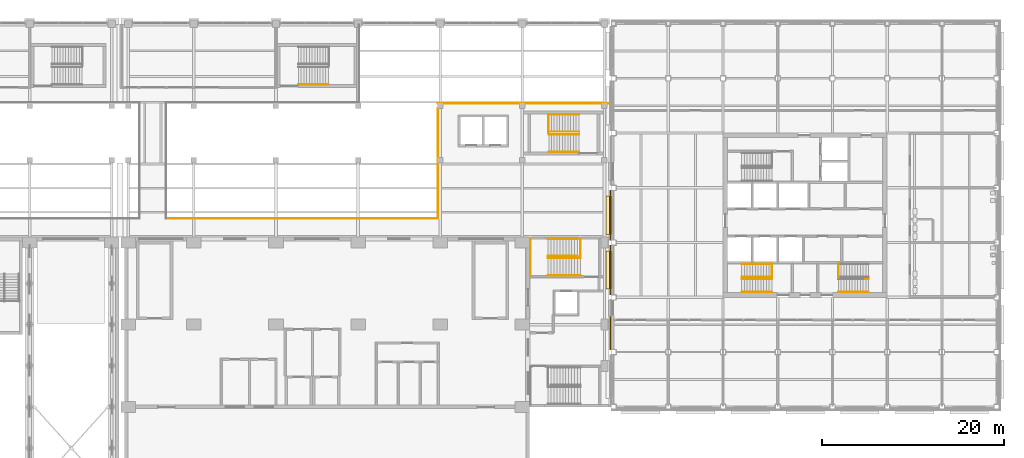
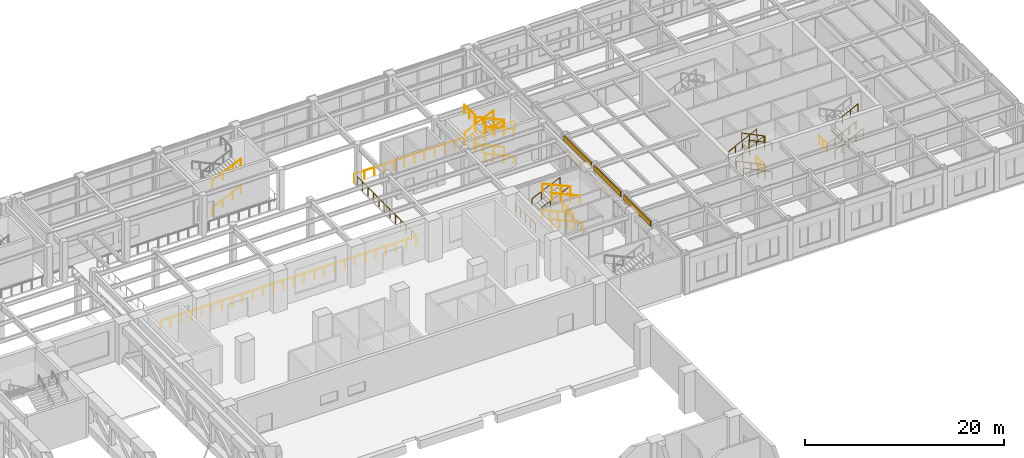
# One storey, part 72 of 76: 31 railings, 5 coverings.
"""IFC4 building model written with IfcOpenShell, lengths in metres."""

from ifc_helpers import new_model, si_unit, direction, frame, origin, origin_2d, place, context, subcontext, project, spatial, polyline, circle, outline, extrude, material, layer, layer_set, type_object, element, save


model = new_model("IFC4")

# Units and contexts
model_context = context("Model", 3, precision=1e-05, world=origin(), true_north=direction((0.0, 1.0)))
body_context = subcontext(model_context, "Body", "Model", "MODEL_VIEW")
ifc_project = project(units=[si_unit("LENGTHUNIT", "METRE"), si_unit("AREAUNIT", "SQUARE_METRE"), si_unit("VOLUMEUNIT", "CUBIC_METRE"), si_unit("PLANEANGLEUNIT", "RADIAN"), si_unit("MASSUNIT", "GRAM", prefix="KILO")], contexts=[model_context])

# Site, building, storey
site_placement = place(None, origin())
site = spatial("IfcSite", under=ifc_project, at=site_placement, CompositionType="ELEMENT")
building_placement = place(site_placement, origin())
building = spatial("IfcBuilding", under=site, at=building_placement, Name="Aravalli Gate Trade Fair Centre", CompositionType="ELEMENT")
storey_placement = place(building_placement, frame((0.0, 0.0, 10.0)))
storey = spatial("IfcBuildingStorey", under=building, at=storey_placement, Name="L02", CompositionType="ELEMENT", Elevation=10.0)

# Railings
ifc_material_1 = material(Name="Steel E350", Category="steel")
railing_type_1 = type_object("IfcRailingType", Name="Concourse guard 1100", PredefinedType="GUARDRAIL", material=ifc_material_1)
railing_1_placement = place(storey_placement, frame((152.85009765625, 121.0, 5.0)))
element("IfcRailing", 1, at=railing_1_placement, inside=storey, type_object=railing_type_1, Name="Guard ES L02 landing edge", PredefinedType="GUARDRAIL", context=body_context, shape_type="SweptSolid", body=[
    extrude(circle(Radius=0.02392578125, at=origin_2d()), frame((0.0, 0.0, 1.076171875), z_axis=(0.0, 1.0, 0.0), x_axis=(-1.0, 0.0, 0.0)), (0.0, 0.0, 1.0), 2.050048828125),
    extrude(circle(Radius=0.02099609375, at=origin_2d()), origin(), (0.0, 0.0, 1.0), 1.052001953125),
    extrude(circle(Radius=0.02099609375, at=origin_2d()), frame((0.0, 1.02490234375, 0.0)), (0.0, 0.0, 1.0), 1.052001953125),
    extrude(circle(Radius=0.02099609375, at=origin_2d()), frame((0.0, 2.050048828125, 0.0)), (0.0, 0.0, 1.0), 1.052001953125),
])
railing_2_placement = place(storey_placement, frame((110.949951171875, 111.64990234375, 0.0)))
element("IfcRailing", 2, at=railing_2_placement, inside=storey, type_object=railing_type_1, Name="Atrium guard S4 L02", PredefinedType="GUARDRAIL", context=body_context, shape_type="SweptSolid", body=[
    extrude(circle(Radius=0.02392578125, at=origin_2d()), frame((0.0, 0.0, 1.076171875), z_axis=(1.0, 0.0, 0.0), x_axis=(0.0, 1.0, 0.0)), (0.0, 0.0, 1.0), 29.75),
    extrude(circle(Radius=0.02099609375, at=origin_2d()), origin(), (0.0, 0.0, 1.0), 1.052001953125),
    extrude(circle(Radius=0.02099609375, at=origin_2d()), frame((1.18994140625, 0.0, 0.0)), (0.0, 0.0, 1.0), 1.052001953125),
    extrude(circle(Radius=0.02099609375, at=origin_2d()), frame((2.3798828125, 0.0, 0.0)), (0.0, 0.0, 1.0), 1.052001953125),
    extrude(circle(Radius=0.02099609375, at=origin_2d()), frame((3.570068359375, 0.0, 0.0)), (0.0, 0.0, 1.0), 1.052001953125),
    extrude(circle(Radius=0.02099609375, at=origin_2d()), frame((4.760009765625, 0.0, 0.0)), (0.0, 0.0, 1.0), 1.052001953125),
    extrude(circle(Radius=0.02099609375, at=origin_2d()), frame((5.949951171875, 0.0, 0.0)), (0.0, 0.0, 1.0), 1.052001953125),
    extrude(circle(Radius=0.02099609375, at=origin_2d()), frame((7.139892578125, 0.0, 0.0)), (0.0, 0.0, 1.0), 1.052001953125),
    extrude(circle(Radius=0.02099609375, at=origin_2d()), frame((8.330078125, 0.0, 0.0)), (0.0, 0.0, 1.0), 1.052001953125),
    extrude(circle(Radius=0.02099609375, at=origin_2d()), frame((9.52001953125, 0.0, 0.0)), (0.0, 0.0, 1.0), 1.052001953125),
    extrude(circle(Radius=0.02099609375, at=origin_2d()), frame((10.7099609375, 0.0, 0.0)), (0.0, 0.0, 1.0), 1.052001953125),
    extrude(circle(Radius=0.02099609375, at=origin_2d()), frame((11.89990234375, 0.0, 0.0)), (0.0, 0.0, 1.0), 1.052001953125),
    extrude(circle(Radius=0.02099609375, at=origin_2d()), frame((13.090087890625, 0.0, 0.0)), (0.0, 0.0, 1.0), 1.052001953125),
    extrude(circle(Radius=0.02099609375, at=origin_2d()), frame((14.280029296875, 0.0, 0.0)), (0.0, 0.0, 1.0), 1.052001953125),
    extrude(circle(Radius=0.02099609375, at=origin_2d()), frame((15.469970703125, 0.0, 0.0)), (0.0, 0.0, 1.0), 1.052001953125),
    extrude(circle(Radius=0.02099609375, at=origin_2d()), frame((16.659912109375, 0.0, 0.0)), (0.0, 0.0, 1.0), 1.052001953125),
    extrude(circle(Radius=0.02099609375, at=origin_2d()), frame((17.85009765625, 0.0, 0.0)), (0.0, 0.0, 1.0), 1.052001953125),
    extrude(circle(Radius=0.02099609375, at=origin_2d()), frame((19.0400390625, 0.0, 0.0)), (0.0, 0.0, 1.0), 1.052001953125),
    extrude(circle(Radius=0.02099609375, at=origin_2d()), frame((20.22998046875, 0.0, 0.0)), (0.0, 0.0, 1.0), 1.052001953125),
    extrude(circle(Radius=0.02099609375, at=origin_2d()), frame((21.419921875, 0.0, 0.0)), (0.0, 0.0, 1.0), 1.052001953125),
    extrude(circle(Radius=0.02099609375, at=origin_2d()), frame((22.610107421875, 0.0, 0.0)), (0.0, 0.0, 1.0), 1.052001953125),
    extrude(circle(Radius=0.02099609375, at=origin_2d()), frame((23.800048828125, 0.0, 0.0)), (0.0, 0.0, 1.0), 1.052001953125),
    extrude(circle(Radius=0.02099609375, at=origin_2d()), frame((24.989990234375, 0.0, 0.0)), (0.0, 0.0, 1.0), 1.052001953125),
    extrude(circle(Radius=0.02099609375, at=origin_2d()), frame((26.179931640625, 0.0, 0.0)), (0.0, 0.0, 1.0), 1.052001953125),
    extrude(circle(Radius=0.02099609375, at=origin_2d()), frame((27.3701171875, 0.0, 0.0)), (0.0, 0.0, 1.0), 1.052001953125),
    extrude(circle(Radius=0.02099609375, at=origin_2d()), frame((28.56005859375, 0.0, 0.0)), (0.0, 0.0, 1.0), 1.052001953125),
    extrude(circle(Radius=0.02099609375, at=origin_2d()), frame((29.75, 0.0, 0.0)), (0.0, 0.0, 1.0), 1.052001953125),
])
railing_3_placement = place(storey_placement, frame((140.75, 111.64990234375, 0.0)))
element("IfcRailing", 3, at=railing_3_placement, inside=storey, type_object=railing_type_1, Name="Atrium guard E L02", PredefinedType="GUARDRAIL", context=body_context, shape_type="SweptSolid", body=[
    extrude(circle(Radius=0.02392578125, at=origin_2d()), frame((0.0, 0.0, 1.076171875), z_axis=(0.0, 1.0, 0.0), x_axis=(-1.0, 0.0, 0.0)), (0.0, 0.0, 1.0), 12.050048828125),
    extrude(circle(Radius=0.02099609375, at=origin_2d()), origin(), (0.0, 0.0, 1.0), 1.052001953125),
    extrude(circle(Radius=0.02099609375, at=origin_2d()), frame((0.0, 1.095458984375, 0.0)), (0.0, 0.0, 1.0), 1.052001953125),
    extrude(circle(Radius=0.02099609375, at=origin_2d()), frame((0.0, 2.19091796875, 0.0)), (0.0, 0.0, 1.0), 1.052001953125),
    extrude(circle(Radius=0.02099609375, at=origin_2d()), frame((0.0, 3.286376953125, 0.0)), (0.0, 0.0, 1.0), 1.052001953125),
    extrude(circle(Radius=0.02099609375, at=origin_2d()), frame((0.0, 4.3818359375, 0.0)), (0.0, 0.0, 1.0), 1.052001953125),
    extrude(circle(Radius=0.02099609375, at=origin_2d()), frame((0.0, 5.477294921875, 0.0)), (0.0, 0.0, 1.0), 1.052001953125),
    extrude(circle(Radius=0.02099609375, at=origin_2d()), frame((0.0, 6.57275390625, 0.0)), (0.0, 0.0, 1.0), 1.052001953125),
    extrude(circle(Radius=0.02099609375, at=origin_2d()), frame((0.0, 7.668212890625, 0.0)), (0.0, 0.0, 1.0), 1.052001953125),
    extrude(circle(Radius=0.02099609375, at=origin_2d()), frame((0.0, 8.763671875, 0.0)), (0.0, 0.0, 1.0), 1.052001953125),
    extrude(circle(Radius=0.02099609375, at=origin_2d()), frame((0.0, 9.859130859375, 0.0)), (0.0, 0.0, 1.0), 1.052001953125),
    extrude(circle(Radius=0.02099609375, at=origin_2d()), frame((0.0, 10.95458984375, 0.0)), (0.0, 0.0, 1.0), 1.052001953125),
    extrude(circle(Radius=0.02099609375, at=origin_2d()), frame((0.0, 12.050048828125, 0.0)), (0.0, 0.0, 1.0), 1.052001953125),
])
railing_4_placement = place(storey_placement, frame((140.75, 124.25, 0.0)))
element("IfcRailing", 4, at=railing_4_placement, inside=storey, type_object=railing_type_1, Name="Atrium guard LE L02", PredefinedType="GUARDRAIL", context=body_context, shape_type="SweptSolid", body=[
    extrude(circle(Radius=0.02392578125, at=origin_2d()), frame((0.0, 0.0, 1.076171875), z_axis=(1.0, 0.0, 0.0), x_axis=(0.0, 1.0, 0.0)), (0.0, 0.0, 1.0), 18.64990234375),
    extrude(circle(Radius=0.02099609375, at=origin_2d()), origin(), (0.0, 0.0, 1.0), 1.052001953125),
    extrude(circle(Radius=0.02099609375, at=origin_2d()), frame((1.16552734375, 0.0, 0.0)), (0.0, 0.0, 1.0), 1.052001953125),
    extrude(circle(Radius=0.02099609375, at=origin_2d()), frame((2.331298828125, 0.0, 0.0)), (0.0, 0.0, 1.0), 1.052001953125),
    extrude(circle(Radius=0.02099609375, at=origin_2d()), frame((3.496826171875, 0.0, 0.0)), (0.0, 0.0, 1.0), 1.052001953125),
    extrude(circle(Radius=0.02099609375, at=origin_2d()), frame((4.66259765625, 0.0, 0.0)), (0.0, 0.0, 1.0), 1.052001953125),
    extrude(circle(Radius=0.02099609375, at=origin_2d()), frame((5.828125, 0.0, 0.0)), (0.0, 0.0, 1.0), 1.052001953125),
    extrude(circle(Radius=0.02099609375, at=origin_2d()), frame((6.99365234375, 0.0, 0.0)), (0.0, 0.0, 1.0), 1.052001953125),
    extrude(circle(Radius=0.02099609375, at=origin_2d()), frame((8.159423828125, 0.0, 0.0)), (0.0, 0.0, 1.0), 1.052001953125),
    extrude(circle(Radius=0.02099609375, at=origin_2d()), frame((9.324951171875, 0.0, 0.0)), (0.0, 0.0, 1.0), 1.052001953125),
    extrude(circle(Radius=0.02099609375, at=origin_2d()), frame((10.490478515625, 0.0, 0.0)), (0.0, 0.0, 1.0), 1.052001953125),
    extrude(circle(Radius=0.02099609375, at=origin_2d()), frame((11.65625, 0.0, 0.0)), (0.0, 0.0, 1.0), 1.052001953125),
    extrude(circle(Radius=0.02099609375, at=origin_2d()), frame((12.82177734375, 0.0, 0.0)), (0.0, 0.0, 1.0), 1.052001953125),
    extrude(circle(Radius=0.02099609375, at=origin_2d()), frame((13.9873046875, 0.0, 0.0)), (0.0, 0.0, 1.0), 1.052001953125),
    extrude(circle(Radius=0.02099609375, at=origin_2d()), frame((15.153076171875, 0.0, 0.0)), (0.0, 0.0, 1.0), 1.052001953125),
    extrude(circle(Radius=0.02099609375, at=origin_2d()), frame((16.318603515625, 0.0, 0.0)), (0.0, 0.0, 1.0), 1.052001953125),
    extrude(circle(Radius=0.02099609375, at=origin_2d()), frame((17.484375, 0.0, 0.0)), (0.0, 0.0, 1.0), 1.052001953125),
    extrude(circle(Radius=0.02099609375, at=origin_2d()), frame((18.64990234375, 0.0, 0.0)), (0.0, 0.0, 1.0), 1.052001953125),
])
railing_type_2 = type_object("IfcRailingType", Name="Concourse stair handrail 900", PredefinedType="HANDRAIL", material=ifc_material_1)
for number, where, name in (
    (5, (156.199951171875, 118.949951171875, 0.138916015625), "Handrail ES L02 flight 1o"),
    (6, (156.199951171875, 120.85009765625, 0.138916015625), "Handrail ES L02 flight 1i"),
):
    element("IfcRailing", number, at=place(storey_placement, frame(where)), inside=storey, type_object=railing_type_2, Name=name, PredefinedType="HANDRAIL", context=body_context, shape_type="SweptSolid", body=[
        extrude(circle(Radius=0.02392578125, at=origin_2d()), frame((0.0, 0.0, 0.8759765625), z_axis=(-0.907499493834, 0.0, 0.420053173647), x_axis=(0.0, -1.0, 0.0)), (0.0, 0.0, 1.0), 1.322265625),
        extrude(circle(Radius=0.02392578125, at=origin_2d()), frame((-1.199951171875, 0.0, 1.43115234375), z_axis=(-0.907429102623, 0.0, 0.420205216189), x_axis=(0.0, -1.0, 0.0)), (0.0, 0.0, 1.0), 1.322265625),
        extrude(circle(Radius=0.02392578125, at=origin_2d()), frame((-2.39990234375, 0.0, 1.98681640625), z_axis=(-0.907461694017, 0.0, 0.420134828231), x_axis=(0.0, -1.0, 0.0)), (0.0, 0.0, 1.0), 0.991943359375),
        extrude(circle(Radius=0.02099609375, at=origin_2d()), origin(), (0.0, 0.0, 1.0), 0.851806640625),
        extrude(circle(Radius=0.02099609375, at=origin_2d()), frame((-1.199951171875, 0.0, 0.555419921875)), (0.0, 0.0, 1.0), 0.851806640625),
        extrude(circle(Radius=0.02099609375, at=origin_2d()), frame((-2.39990234375, 0.0, 1.111083984375)), (0.0, 0.0, 1.0), 0.851806640625),
        extrude(circle(Radius=0.02099609375, at=origin_2d()), frame((-3.300048828125, 0.0, 1.52783203125)), (0.0, 0.0, 1.0), 0.851806640625),
    ])
for number, where, name in (
    (7, (152.89990234375, 123.050048828125, 1.8056640625), "Handrail ES L02 flight 2o"),
    (8, (152.89990234375, 121.14990234375, 1.8056640625), "Handrail ES L02 flight 2i"),
):
    element("IfcRailing", number, at=place(storey_placement, frame(where)), inside=storey, type_object=railing_type_2, Name=name, PredefinedType="HANDRAIL", context=body_context, shape_type="SweptSolid", body=[
        extrude(circle(Radius=0.02392578125, at=origin_2d()), frame((0.0, 0.0, 0.8759765625), z_axis=(0.907532064172, 0.0, 0.419982800242), x_axis=(0.0, 1.0, 0.0)), (0.0, 0.0, 1.0), 1.322509765625),
        extrude(circle(Radius=0.02392578125, at=origin_2d()), frame((1.2001953125, 0.0, 1.43115234375), z_axis=(0.907429102623, 0.0, 0.420205216189), x_axis=(0.0, 1.0, 0.0)), (0.0, 0.0, 1.0), 1.322265625),
        extrude(circle(Radius=0.02392578125, at=origin_2d()), frame((2.400146484375, 0.0, 1.98681640625), z_axis=(0.907512096258, 0.0, 0.420025945799), x_axis=(0.0, 1.0, 0.0)), (0.0, 0.0, 1.0), 0.99169921875),
        extrude(circle(Radius=0.02099609375, at=origin_2d()), origin(), (0.0, 0.0, 1.0), 0.851806640625),
        extrude(circle(Radius=0.02099609375, at=origin_2d()), frame((1.2001953125, 0.0, 0.555419921875)), (0.0, 0.0, 1.0), 0.851806640625),
        extrude(circle(Radius=0.02099609375, at=origin_2d()), frame((2.400146484375, 0.0, 1.111083984375)), (0.0, 0.0, 1.0), 0.851806640625),
        extrude(circle(Radius=0.02099609375, at=origin_2d()), frame((3.300048828125, 0.0, 1.527587890625)), (0.0, 0.0, 1.0), 0.851806640625),
    ])
for number, where, name in (
    (9, (156.199951171875, 118.949951171875, 3.47216796875), "Handrail ES L02 flight 3o"),
    (10, (156.199951171875, 120.85009765625, 3.47216796875), "Handrail ES L02 flight 3i"),
):
    element("IfcRailing", number, at=place(storey_placement, frame(where)), inside=storey, type_object=railing_type_2, Name=name, PredefinedType="HANDRAIL", context=body_context, shape_type="SweptSolid", body=[
        extrude(circle(Radius=0.02392578125, at=origin_2d()), frame((0.0, 0.0, 0.8759765625), z_axis=(-0.907429102623, 0.0, 0.420205216189), x_axis=(0.0, -1.0, 0.0)), (0.0, 0.0, 1.0), 1.322265625),
        extrude(circle(Radius=0.02392578125, at=origin_2d()), frame((-1.199951171875, 0.0, 1.431640625), z_axis=(-0.907499493834, 0.0, 0.420053173647), x_axis=(0.0, -1.0, 0.0)), (0.0, 0.0, 1.0), 1.322265625),
        extrude(circle(Radius=0.02392578125, at=origin_2d()), frame((-2.39990234375, 0.0, 1.98681640625), z_axis=(-0.907461694017, 0.0, 0.420134828231), x_axis=(0.0, -1.0, 0.0)), (0.0, 0.0, 1.0), 0.991943359375),
        extrude(circle(Radius=0.02099609375, at=origin_2d()), origin(), (0.0, 0.0, 1.0), 0.851806640625),
        extrude(circle(Radius=0.02099609375, at=origin_2d()), frame((-1.199951171875, 0.0, 0.5556640625)), (0.0, 0.0, 1.0), 0.851806640625),
        extrude(circle(Radius=0.02099609375, at=origin_2d()), frame((-2.39990234375, 0.0, 1.111083984375)), (0.0, 0.0, 1.0), 0.851806640625),
        extrude(circle(Radius=0.02099609375, at=origin_2d()), frame((-3.300048828125, 0.0, 1.52783203125)), (0.0, 0.0, 1.0), 0.851806640625),
    ])
railing_5_placement = place(storey_placement, frame((125.449951171875, 126.35009765625, 0.138916015625)))
element("IfcRailing", 11, at=railing_5_placement, inside=storey, type_object=railing_type_2, Name="Handrail XE L02 flight 1o", PredefinedType="HANDRAIL", context=body_context, shape_type="SweptSolid", body=[
    extrude(circle(Radius=0.02392578125, at=origin_2d()), frame((0.0, 0.0, 0.8759765625), z_axis=(0.907499493834, 0.0, 0.420053173647), x_axis=(0.0, 1.0, 0.0)), (0.0, 0.0, 1.0), 1.322265625),
    extrude(circle(Radius=0.02392578125, at=origin_2d()), frame((1.199951171875, 0.0, 1.43115234375), z_axis=(0.907461694017, 0.0, 0.420134828231), x_axis=(0.0, 1.0, 0.0)), (0.0, 0.0, 1.0), 1.322509765625),
    extrude(circle(Radius=0.02392578125, at=origin_2d()), frame((2.400146484375, 0.0, 1.98681640625), z_axis=(0.907418235185, 0.0, 0.420228683522), x_axis=(0.0, 1.0, 0.0)), (0.0, 0.0, 1.0), 0.99169921875),
    extrude(circle(Radius=0.02099609375, at=origin_2d()), origin(), (0.0, 0.0, 1.0), 0.851806640625),
    extrude(circle(Radius=0.02099609375, at=origin_2d()), frame((1.199951171875, 0.0, 0.555419921875)), (0.0, 0.0, 1.0), 0.851806640625),
    extrude(circle(Radius=0.02099609375, at=origin_2d()), frame((2.400146484375, 0.0, 1.111083984375)), (0.0, 0.0, 1.0), 0.851806640625),
    extrude(circle(Radius=0.02099609375, at=origin_2d()), frame((3.300048828125, 0.0, 1.52783203125)), (0.0, 0.0, 1.0), 0.851806640625),
])
railing_6_placement = place(storey_placement, frame((125.449951171875, 126.35009765625, 3.47216796875)))
element("IfcRailing", 12, at=railing_6_placement, inside=storey, type_object=railing_type_2, Name="Handrail XE L02 flight 3o", PredefinedType="HANDRAIL", context=body_context, shape_type="SweptSolid", body=[
    extrude(circle(Radius=0.02392578125, at=origin_2d()), frame((0.0, 0.0, 0.8759765625), z_axis=(0.907429102623, 0.0, 0.420205216189), x_axis=(0.0, 1.0, 0.0)), (0.0, 0.0, 1.0), 1.322265625),
    extrude(circle(Radius=0.02392578125, at=origin_2d()), frame((1.199951171875, 0.0, 1.431640625), z_axis=(0.907532064172, 0.0, 0.419982800242), x_axis=(0.0, 1.0, 0.0)), (0.0, 0.0, 1.0), 1.322509765625),
    extrude(circle(Radius=0.02392578125, at=origin_2d()), frame((2.400146484375, 0.0, 1.98681640625), z_axis=(0.907418235185, 0.0, 0.420228683522), x_axis=(0.0, 1.0, 0.0)), (0.0, 0.0, 1.0), 0.99169921875),
    extrude(circle(Radius=0.02099609375, at=origin_2d()), origin(), (0.0, 0.0, 1.0), 0.851806640625),
    extrude(circle(Radius=0.02099609375, at=origin_2d()), frame((1.199951171875, 0.0, 0.5556640625)), (0.0, 0.0, 1.0), 0.851806640625),
    extrude(circle(Radius=0.02099609375, at=origin_2d()), frame((2.400146484375, 0.0, 1.111083984375)), (0.0, 0.0, 1.0), 0.851806640625),
    extrude(circle(Radius=0.02099609375, at=origin_2d()), frame((3.300048828125, 0.0, 1.52783203125)), (0.0, 0.0, 1.0), 0.851806640625),
])

# Coverings
ifc_material_2 = material(Name="Terracotta", Category="masonry")
ifc_layer_1 = layer(ifc_material_2, 0.10009765625)
ifc_layer_set_1 = layer_set([ifc_layer_1], Name="Terracotta")
covering_type_1 = type_object("IfcCoveringType", Name="Wing chhajja hood 100", PredefinedType="MOLDING", material=ifc_layer_set_1)
covering_1_placement = place(storey_placement, frame((0.0, 0.0, 3.449951171875)))
element("IfcCovering", 13, at=covering_1_placement, inside=storey, type_object=covering_type_1, Name="Chhajja hood W2 L02", PredefinedType="MOLDING", context=body_context, shape_type="SweptSolid", body=[
    extrude(outline(polyline([(159.199951171875, 103.89990234375), (159.800048828125, 103.89990234375), (159.800048828125, 108.10009765625), (159.199951171875, 108.10009765625), (159.199951171875, 103.89990234375)])), origin(), (0.0, 0.0, 1.0), 0.10009765625),
])
covering_2_placement = place(storey_placement, frame((0.0, 0.0, 3.449951171875)))
element("IfcCovering", 14, at=covering_2_placement, inside=storey, type_object=covering_type_1, Name="Chhajja hood W3 L02", PredefinedType="MOLDING", context=body_context, shape_type="SweptSolid", body=[
    extrude(outline(polyline([(159.199951171875, 109.89990234375), (159.800048828125, 109.89990234375), (159.800048828125, 114.10009765625), (159.199951171875, 114.10009765625), (159.199951171875, 109.89990234375)])), origin(), (0.0, 0.0, 1.0), 0.10009765625),
])
ifc_material_3 = material(Name="Glazed terracotta", Category="masonry")
ifc_layer_2 = layer(ifc_material_3, 0.1201171875)
ifc_layer_set_2 = layer_set([ifc_layer_2], Name="Glazed terracotta")
covering_type_2 = type_object("IfcCoveringType", Name="Wing spandrel band 120", PredefinedType="CLADDING", material=ifc_layer_set_2)
covering_3_placement = place(storey_placement, frame((0.0, 0.0, 4.35009765625)))
element("IfcCovering", 15, at=covering_3_placement, inside=storey, type_object=covering_type_2, Name="Spandrel band W1 L02", PredefinedType="CLADDING", context=body_context, shape_type="SweptSolid", body=[
    extrude(outline(polyline([(159.574951171875, 97.27490234375), (159.695068359375, 97.27490234375), (159.695068359375, 102.72509765625), (159.574951171875, 102.72509765625), (159.574951171875, 97.27490234375)])), origin(), (0.0, 0.0, 1.0), 0.64990234375),
])
covering_4_placement = place(storey_placement, frame((0.0, 0.0, 4.35009765625)))
element("IfcCovering", 16, at=covering_4_placement, inside=storey, type_object=covering_type_2, Name="Spandrel band W2 L02", PredefinedType="CLADDING", context=body_context, shape_type="SweptSolid", body=[
    extrude(outline(polyline([(159.574951171875, 103.27490234375), (159.695068359375, 103.27490234375), (159.695068359375, 108.72509765625), (159.574951171875, 108.72509765625), (159.574951171875, 103.27490234375)])), origin(), (0.0, 0.0, 1.0), 0.64990234375),
])
covering_5_placement = place(storey_placement, frame((0.0, 0.0, 4.35009765625)))
element("IfcCovering", 17, at=covering_5_placement, inside=storey, type_object=covering_type_2, Name="Spandrel band W3 L02", PredefinedType="CLADDING", context=body_context, shape_type="SweptSolid", body=[
    extrude(outline(polyline([(159.574951171875, 109.27490234375), (159.695068359375, 109.27490234375), (159.695068359375, 114.72509765625), (159.574951171875, 114.72509765625), (159.574951171875, 109.27490234375)])), origin(), (0.0, 0.0, 1.0), 0.64990234375),
])

# Railings
railing_type_3 = type_object("IfcRailingType", Name="Wing stair handrail", PredefinedType="HANDRAIL", material=ifc_material_1)
for number, where, name in (
    (18, (177.35009765625, 103.56005859375, 0.14697265625), "Handrail S2 L02 1a"),
    (19, (177.35009765625, 104.97998046875, 0.14697265625), "Handrail S2 L02 1b"),
):
    element("IfcRailing", number, at=place(storey_placement, frame(where)), inside=storey, type_object=railing_type_3, Name=name, PredefinedType="HANDRAIL", context=body_context, shape_type="SweptSolid", body=[
        extrude(circle(Radius=0.02392578125, at=origin_2d()), frame((0.0, 0.0, 0.92578125), z_axis=(-0.897920207933, 0.0, 0.440158267202), x_axis=(0.0, -1.0, 0.0)), (0.0, 0.0, 1.0), 3.67529296875),
        extrude(circle(Radius=0.02099609375, at=origin_2d()), origin(), (0.0, 0.0, 1.0), 0.90185546875),
        extrude(circle(Radius=0.02099609375, at=origin_2d()), frame((-0.824951171875, 0.0, 0.404296875)), (0.0, 0.0, 1.0), 0.90185546875),
        extrude(circle(Radius=0.02099609375, at=origin_2d()), frame((-1.64990234375, 0.0, 0.808837890625)), (0.0, 0.0, 1.0), 0.90185546875),
        extrude(circle(Radius=0.02099609375, at=origin_2d()), frame((-2.47509765625, 0.0, 1.21337890625)), (0.0, 0.0, 1.0), 0.90185546875),
        extrude(circle(Radius=0.02099609375, at=origin_2d()), frame((-3.300048828125, 0.0, 1.61767578125)), (0.0, 0.0, 1.0), 0.90185546875),
    ])
for number, where, name in (
    (20, (174.050048828125, 105.219970703125, 1.911865234375), "Handrail S2 L02 2a"),
    (21, (174.050048828125, 106.639892578125, 1.911865234375), "Handrail S2 L02 2b"),
):
    element("IfcRailing", number, at=place(storey_placement, frame(where)), inside=storey, type_object=railing_type_3, Name=name, PredefinedType="HANDRAIL", context=body_context, shape_type="SweptSolid", body=[
        extrude(circle(Radius=0.02392578125, at=origin_2d()), frame((0.0, 0.0, 0.92578125), z_axis=(0.897946461621, 0.0, 0.440104705795), x_axis=(0.0, 1.0, 0.0)), (0.0, 0.0, 1.0), 3.675048828125),
        extrude(circle(Radius=0.02099609375, at=origin_2d()), origin(), (0.0, 0.0, 1.0), 0.90185546875),
        extrude(circle(Radius=0.02099609375, at=origin_2d()), frame((0.824951171875, 0.0, 0.404296875)), (0.0, 0.0, 1.0), 0.90185546875),
        extrude(circle(Radius=0.02099609375, at=origin_2d()), frame((1.64990234375, 0.0, 0.80859375)), (0.0, 0.0, 1.0), 0.90185546875),
        extrude(circle(Radius=0.02099609375, at=origin_2d()), frame((2.47509765625, 0.0, 1.213134765625)), (0.0, 0.0, 1.0), 0.90185546875),
        extrude(circle(Radius=0.02099609375, at=origin_2d()), frame((3.300048828125, 0.0, 1.617431640625)), (0.0, 0.0, 1.0), 0.90185546875),
    ])
for number, where, name in (
    (22, (177.35009765625, 103.56005859375, 3.676513671875), "Handrail S2 L02 3a"),
    (23, (177.35009765625, 104.97998046875, 3.676513671875), "Handrail S2 L02 3b"),
):
    element("IfcRailing", number, at=place(storey_placement, frame(where)), inside=storey, type_object=railing_type_3, Name=name, PredefinedType="HANDRAIL", context=body_context, shape_type="SweptSolid", body=[
        extrude(circle(Radius=0.02392578125, at=origin_2d()), frame((0.0, 0.0, 0.92578125), z_axis=(-0.897938967857, 0.0, 0.440119995005), x_axis=(0.0, -1.0, 0.0)), (0.0, 0.0, 1.0), 3.007080078125),
        extrude(circle(Radius=0.02099609375, at=origin_2d()), origin(), (0.0, 0.0, 1.0), 0.90185546875),
        extrude(circle(Radius=0.02099609375, at=origin_2d()), frame((-0.900146484375, 0.0, 0.441162109375)), (0.0, 0.0, 1.0), 0.90185546875),
        extrude(circle(Radius=0.02099609375, at=origin_2d()), frame((-1.800048828125, 0.0, 0.88232421875)), (0.0, 0.0, 1.0), 0.90185546875),
        extrude(circle(Radius=0.02099609375, at=origin_2d()), frame((-2.7001953125, 0.0, 1.323486328125)), (0.0, 0.0, 1.0), 0.90185546875),
    ])
for number, where, name in (
    (24, (184.64990234375, 103.56005859375, 0.14697265625), "Handrail S1 L02 1a"),
    (25, (184.64990234375, 104.97998046875, 0.14697265625), "Handrail S1 L02 1b"),
):
    element("IfcRailing", number, at=place(storey_placement, frame(where)), inside=storey, type_object=railing_type_3, Name=name, PredefinedType="HANDRAIL", context=body_context, shape_type="SweptSolid", body=[
        extrude(circle(Radius=0.02392578125, at=origin_2d()), frame((0.0, 0.0, 0.92578125), z_axis=(0.897920207933, 0.0, 0.440158267202), x_axis=(0.0, 1.0, 0.0)), (0.0, 0.0, 1.0), 3.67529296875),
        extrude(circle(Radius=0.02099609375, at=origin_2d()), origin(), (0.0, 0.0, 1.0), 0.90185546875),
        extrude(circle(Radius=0.02099609375, at=origin_2d()), frame((0.824951171875, 0.0, 0.404296875)), (0.0, 0.0, 1.0), 0.90185546875),
        extrude(circle(Radius=0.02099609375, at=origin_2d()), frame((1.64990234375, 0.0, 0.808837890625)), (0.0, 0.0, 1.0), 0.90185546875),
        extrude(circle(Radius=0.02099609375, at=origin_2d()), frame((2.47509765625, 0.0, 1.21337890625)), (0.0, 0.0, 1.0), 0.90185546875),
        extrude(circle(Radius=0.02099609375, at=origin_2d()), frame((3.300048828125, 0.0, 1.61767578125)), (0.0, 0.0, 1.0), 0.90185546875),
    ])
railing_7_placement = place(storey_placement, frame((184.64990234375, 103.56005859375, 3.676513671875)))
element("IfcRailing", 26, at=railing_7_placement, inside=storey, type_object=railing_type_3, Name="Handrail S1 L02 3a", PredefinedType="HANDRAIL", context=body_context, shape_type="SweptSolid", body=[
    extrude(circle(Radius=0.02392578125, at=origin_2d()), frame((0.0, 0.0, 0.92578125), z_axis=(0.897938967857, 0.0, 0.440119995005), x_axis=(0.0, 1.0, 0.0)), (0.0, 0.0, 1.0), 3.007080078125),
    extrude(circle(Radius=0.02099609375, at=origin_2d()), origin(), (0.0, 0.0, 1.0), 0.90185546875),
    extrude(circle(Radius=0.02099609375, at=origin_2d()), frame((0.900146484375, 0.0, 0.441162109375)), (0.0, 0.0, 1.0), 0.90185546875),
    extrude(circle(Radius=0.02099609375, at=origin_2d()), frame((1.800048828125, 0.0, 0.88232421875)), (0.0, 0.0, 1.0), 0.90185546875),
    extrude(circle(Radius=0.02099609375, at=origin_2d()), frame((2.7001953125, 0.0, 1.323486328125)), (0.0, 0.0, 1.0), 0.90185546875),
])
for number, where, name in (
    (27, (156.39990234375, 105.409912109375, 0.14697265625), "Handrail LB L02 1a"),
    (28, (156.39990234375, 107.2900390625, 0.14697265625), "Handrail LB L02 1b"),
):
    element("IfcRailing", number, at=place(storey_placement, frame(where)), inside=storey, type_object=railing_type_3, Name=name, PredefinedType="HANDRAIL", context=body_context, shape_type="SweptSolid", body=[
        extrude(circle(Radius=0.02392578125, at=origin_2d()), frame((0.0, 0.0, 0.92578125), z_axis=(-0.91201066968, 0.0, 0.410166476434), x_axis=(0.0, -1.0, 0.0)), (0.0, 0.0, 1.0), 3.94384765625),
        extrude(circle(Radius=0.02099609375, at=origin_2d()), origin(), (0.0, 0.0, 1.0), 0.90185546875),
        extrude(circle(Radius=0.02099609375, at=origin_2d()), frame((-0.899169921875, 0.0, 0.404296875)), (0.0, 0.0, 1.0), 0.90185546875),
        extrude(circle(Radius=0.02099609375, at=origin_2d()), frame((-1.79833984375, 0.0, 0.808837890625)), (0.0, 0.0, 1.0), 0.90185546875),
        extrude(circle(Radius=0.02099609375, at=origin_2d()), frame((-2.69775390625, 0.0, 1.21337890625)), (0.0, 0.0, 1.0), 0.90185546875),
        extrude(circle(Radius=0.02099609375, at=origin_2d()), frame((-3.596923828125, 0.0, 1.61767578125)), (0.0, 0.0, 1.0), 0.90185546875),
    ])
for number, where, name in (
    (29, (152.802978515625, 107.510009765625, 1.911865234375), "Handrail LB L02 2a"),
    (30, (152.802978515625, 109.389892578125, 1.911865234375), "Handrail LB L02 2b"),
):
    element("IfcRailing", number, at=place(storey_placement, frame(where)), inside=storey, type_object=railing_type_3, Name=name, PredefinedType="HANDRAIL", context=body_context, shape_type="SweptSolid", body=[
        extrude(circle(Radius=0.02392578125, at=origin_2d()), frame((0.0, 0.0, 0.92578125), z_axis=(0.912031043563, 0.0, 0.410121171822), x_axis=(0.0, 1.0, 0.0)), (0.0, 0.0, 1.0), 3.58544921875),
        extrude(circle(Radius=0.02099609375, at=origin_2d()), origin(), (0.0, 0.0, 1.0), 0.90185546875),
        extrude(circle(Radius=0.02099609375, at=origin_2d()), frame((1.090087890625, 0.0, 0.490234375)), (0.0, 0.0, 1.0), 0.90185546875),
        extrude(circle(Radius=0.02099609375, at=origin_2d()), frame((2.179931640625, 0.0, 0.980224609375)), (0.0, 0.0, 1.0), 0.90185546875),
        extrude(circle(Radius=0.02099609375, at=origin_2d()), frame((3.27001953125, 0.0, 1.470458984375)), (0.0, 0.0, 1.0), 0.90185546875),
    ])
for number, where, name in (
    (31, (156.072998046875, 105.409912109375, 3.529296875), "Handrail LB L02 3a"),
    (32, (156.072998046875, 107.2900390625, 3.529296875), "Handrail LB L02 3b"),
):
    element("IfcRailing", number, at=place(storey_placement, frame(where)), inside=storey, type_object=railing_type_3, Name=name, PredefinedType="HANDRAIL", context=body_context, shape_type="SweptSolid", body=[
        extrude(circle(Radius=0.02392578125, at=origin_2d()), frame((0.0, 0.0, 0.92578125), z_axis=(-0.912005572974, 0.0, 0.410177808839), x_axis=(0.0, -1.0, 0.0)), (0.0, 0.0, 1.0), 3.58544921875),
        extrude(circle(Radius=0.02099609375, at=origin_2d()), origin(), (0.0, 0.0, 1.0), 0.90185546875),
        extrude(circle(Radius=0.02099609375, at=origin_2d()), frame((-1.090087890625, 0.0, 0.490234375)), (0.0, 0.0, 1.0), 0.90185546875),
        extrude(circle(Radius=0.02099609375, at=origin_2d()), frame((-2.179931640625, 0.0, 0.98046875)), (0.0, 0.0, 1.0), 0.90185546875),
        extrude(circle(Radius=0.02099609375, at=origin_2d()), frame((-3.27001953125, 0.0, 1.470703125)), (0.0, 0.0, 1.0), 0.90185546875),
    ])
railing_type_4 = type_object("IfcRailingType", Name="Wing stair roof guard", PredefinedType="GUARDRAIL", material=ifc_material_1)
for number, where, name in (
    (33, (177.35009765625, 105.159912109375, 0.0), "Guard S2 landing L02"),
    (34, (184.64990234375, 105.159912109375, 0.0), "Guard S1 landing L02"),
):
    element("IfcRailing", number, at=place(storey_placement, frame(where)), inside=storey, type_object=railing_type_4, Name=name, PredefinedType="GUARDRAIL", context=body_context, shape_type="SweptSolid", body=[
        extrude(circle(Radius=0.02392578125, at=origin_2d()), frame((0.0, 0.0, 1.076171875), z_axis=(0.0, 1.0, 0.0), x_axis=(-1.0, 0.0, 0.0)), (0.0, 0.0, 1.0), 1.5400390625),
        extrude(circle(Radius=0.02099609375, at=origin_2d()), origin(), (0.0, 0.0, 1.0), 1.052001953125),
        extrude(circle(Radius=0.02099609375, at=origin_2d()), frame((0.0, 0.77001953125, 0.0)), (0.0, 0.0, 1.0), 1.052001953125),
        extrude(circle(Radius=0.02099609375, at=origin_2d()), frame((0.0, 1.5400390625, 0.0)), (0.0, 0.0, 1.0), 1.052001953125),
    ])
railing_8_placement = place(storey_placement, frame((156.39990234375, 107.449951171875, 0.0)))
element("IfcRailing", 35, at=railing_8_placement, inside=storey, type_object=railing_type_4, Name="Guard LB landing L02", PredefinedType="GUARDRAIL", context=body_context, shape_type="SweptSolid", body=[
    extrude(circle(Radius=0.02392578125, at=origin_2d()), frame((0.0, 0.0, 1.076171875), z_axis=(0.0, 1.0, 0.0), x_axis=(-1.0, 0.0, 0.0)), (0.0, 0.0, 1.0), 2.0),
    extrude(circle(Radius=0.02099609375, at=origin_2d()), origin(), (0.0, 0.0, 1.0), 1.052001953125),
    extrude(circle(Radius=0.02099609375, at=origin_2d()), frame((0.0, 1.0, 0.0)), (0.0, 0.0, 1.0), 1.052001953125),
    extrude(circle(Radius=0.02099609375, at=origin_2d()), frame((0.0, 2.0, 0.0)), (0.0, 0.0, 1.0), 1.052001953125),
])
railing_9_placement = place(storey_placement, frame((150.89990234375, 105.35009765625, 1.7646484375)))
element("IfcRailing", 36, at=railing_9_placement, inside=storey, type_object=railing_type_4, Name="Guard LB landing L02 west edge 2", PredefinedType="GUARDRAIL", context=body_context, shape_type="SweptSolid", body=[
    extrude(circle(Radius=0.02392578125, at=origin_2d()), frame((0.0, 0.0, 1.076171875), z_axis=(0.0, 1.0, 0.0), x_axis=(-1.0, 0.0, 0.0)), (0.0, 0.0, 1.0), 4.099853515625),
    extrude(circle(Radius=0.02099609375, at=origin_2d()), origin(), (0.0, 0.0, 1.0), 1.052001953125),
    extrude(circle(Radius=0.02099609375, at=origin_2d()), frame((0.0, 1.02490234375, 0.0)), (0.0, 0.0, 1.0), 1.052001953125),
    extrude(circle(Radius=0.02099609375, at=origin_2d()), frame((0.0, 2.0498046875, 0.0)), (0.0, 0.0, 1.0), 1.052001953125),
    extrude(circle(Radius=0.02099609375, at=origin_2d()), frame((0.0, 3.074951171875, 0.0)), (0.0, 0.0, 1.0), 1.052001953125),
    extrude(circle(Radius=0.02099609375, at=origin_2d()), frame((0.0, 4.099853515625, 0.0)), (0.0, 0.0, 1.0), 1.052001953125),
])

save(model, "model.ifc")
